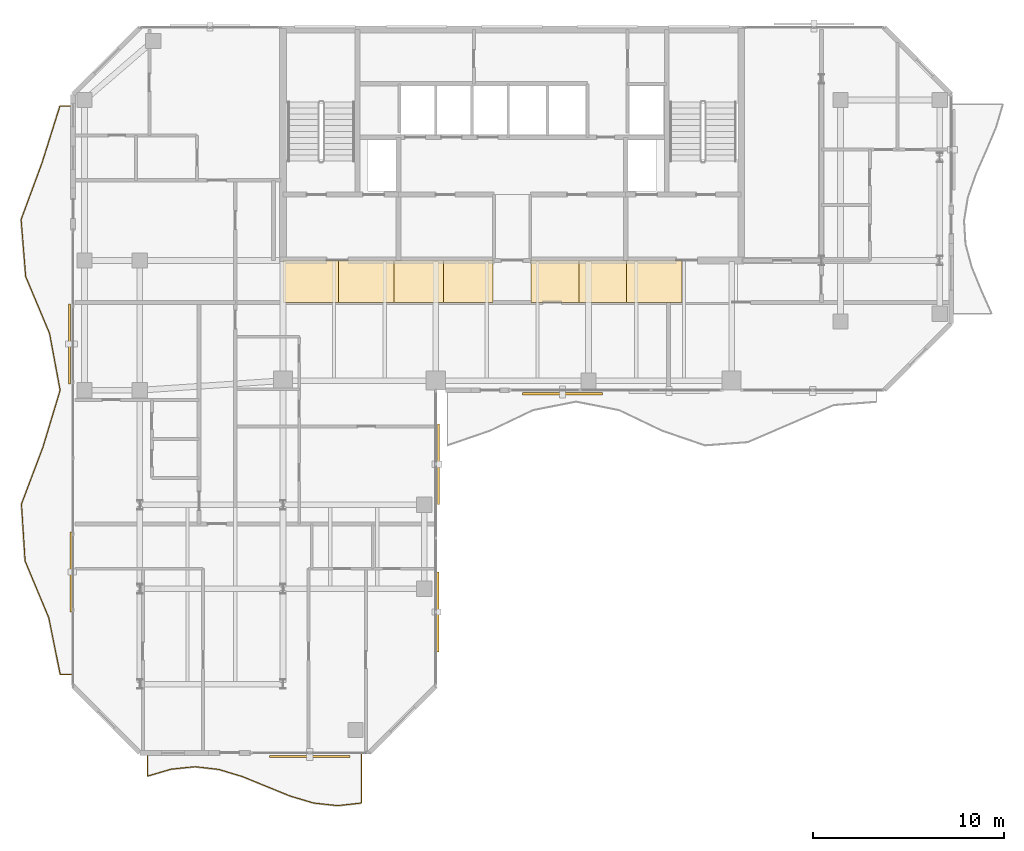
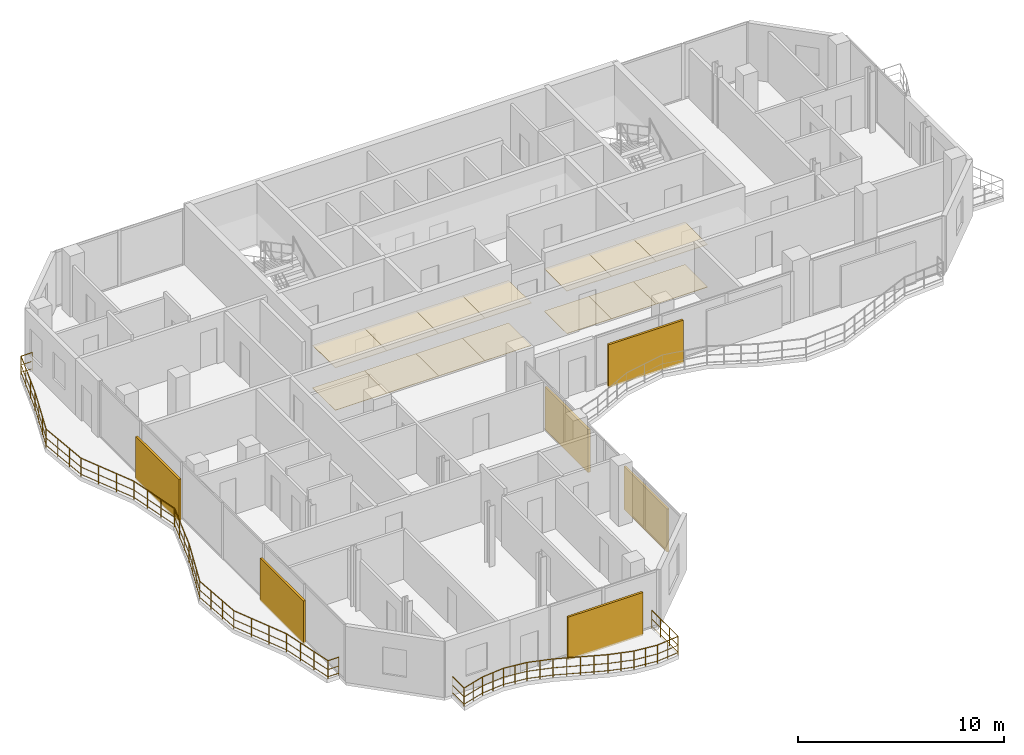
# One storey, part 21 of 23: 14 coverings, 6 shading devices, 2 railings.
"""IFC4 building model written with IfcOpenShell, lengths in metres."""

from ifc_helpers import new_model, si_unit, direction, frame, origin, origin_2d, place, context, subcontext, project, spatial, polyline, rectangle, circle, outline, extrude, material, layer, layer_set, type_object, element, save


model = new_model("IFC4")

# Units and contexts
model_context = context("Model", 3, precision=1e-05, world=origin(), true_north=direction((0.0, 1.0)))
body_context = subcontext(model_context, "Body", "Model", "MODEL_VIEW")
ifc_project = project(units=[si_unit("LENGTHUNIT", "METRE"), si_unit("AREAUNIT", "SQUARE_METRE"), si_unit("VOLUMEUNIT", "CUBIC_METRE"), si_unit("PLANEANGLEUNIT", "RADIAN"), si_unit("MASSUNIT", "GRAM", prefix="KILO")], contexts=[model_context])

# Site, building, storey
site_placement = place(None, origin())
site = spatial("IfcSite", under=ifc_project, at=site_placement, CompositionType="ELEMENT")
building_placement = place(site_placement, origin())
building = spatial("IfcBuilding", under=site, at=building_placement, Name="Catumbela Crestline Tower", CompositionType="ELEMENT")
storey_placement = place(building_placement, frame((0.0, 0.0, 165.0)))
storey = spatial("IfcBuildingStorey", under=building, at=storey_placement, Name="L42", CompositionType="ELEMENT", Elevation=165.0)

# Coverings
ifc_material_1 = material(Name="Mineral-fibre acoustic ceiling")
ifc_layer_1 = layer(ifc_material_1, 0.03, Name="Mineral-fibre acoustic ceiling")
ifc_layer_set_1 = layer_set([ifc_layer_1], Name="Mineral-fibre acoustic ceiling")
covering_type_1 = type_object("IfcCoveringType", Name="CC-AC", PredefinedType="CEILING", material=ifc_layer_set_1)
covering_1_placement = place(storey_placement, frame((0.0, 0.0, 2.52)))
element("IfcCovering", 1, at=covering_1_placement, inside=storey, type_object=covering_type_1, Name="L42 Corridor Acoustic Ceiling Bay 1", PredefinedType="CEILING", context=body_context, shape_type="SweptSolid", body=[
    extrude(outline(polyline([(16.0, 28.6), (18.9, 28.6), (18.9, 30.8), (16.0, 30.8), (16.0, 28.6)])), origin(), (0.0, 0.0, 1.0), 0.03),
])
covering_2_placement = place(storey_placement, frame((0.0, 0.0, 2.52)))
element("IfcCovering", 2, at=covering_2_placement, inside=storey, type_object=covering_type_1, Name="L42 Corridor Acoustic Ceiling Bay 2", PredefinedType="CEILING", context=body_context, shape_type="SweptSolid", body=[
    extrude(outline(polyline([(18.9, 28.6), (21.8, 28.6), (21.8, 30.8), (18.9, 30.8), (18.9, 28.6)])), origin(), (0.0, 0.0, 1.0), 0.03),
])
covering_3_placement = place(storey_placement, frame((0.0, 0.0, 2.52)))
element("IfcCovering", 3, at=covering_3_placement, inside=storey, type_object=covering_type_1, Name="L42 Corridor Acoustic Ceiling Bay 3", PredefinedType="CEILING", context=body_context, shape_type="SweptSolid", body=[
    extrude(outline(polyline([(21.8, 28.6), (24.4, 28.6), (24.4, 30.8), (21.8, 30.8), (21.8, 28.6)])), origin(), (0.0, 0.0, 1.0), 0.03),
])
covering_4_placement = place(storey_placement, frame((0.0, 0.0, 2.52)))
element("IfcCovering", 4, at=covering_4_placement, inside=storey, type_object=covering_type_1, Name="L42 Corridor Acoustic Ceiling Bay 4", PredefinedType="CEILING", context=body_context, shape_type="SweptSolid", body=[
    extrude(outline(polyline([(24.4, 28.6), (27.0, 28.6), (27.0, 30.8), (24.4, 30.8), (24.4, 28.6)])), origin(), (0.0, 0.0, 1.0), 0.03),
])
covering_5_placement = place(storey_placement, frame((0.0, 0.0, 2.52)))
element("IfcCovering", 5, at=covering_5_placement, inside=storey, type_object=covering_type_1, Name="L42 Corridor Acoustic Ceiling Bay 5", PredefinedType="CEILING", context=body_context, shape_type="SweptSolid", body=[
    extrude(outline(polyline([(29.0, 28.6), (31.5, 28.6), (31.5, 30.8), (29.0, 30.8), (29.0, 28.6)])), origin(), (0.0, 0.0, 1.0), 0.03),
])
covering_6_placement = place(storey_placement, frame((0.0, 0.0, 2.52)))
element("IfcCovering", 6, at=covering_6_placement, inside=storey, type_object=covering_type_1, Name="L42 Corridor Acoustic Ceiling Bay 6", PredefinedType="CEILING", context=body_context, shape_type="SweptSolid", body=[
    extrude(outline(polyline([(31.5, 28.6), (34.0, 28.6), (34.0, 30.8), (31.5, 30.8), (31.5, 28.6)])), origin(), (0.0, 0.0, 1.0), 0.03),
])
covering_7_placement = place(storey_placement, frame((0.0, 0.0, 2.52)))
element("IfcCovering", 7, at=covering_7_placement, inside=storey, type_object=covering_type_1, Name="L42 Corridor Acoustic Ceiling Bay 7", PredefinedType="CEILING", context=body_context, shape_type="SweptSolid", body=[
    extrude(outline(polyline([(34.0, 28.6), (36.9, 28.6), (36.9, 30.8), (34.0, 30.8), (34.0, 28.6)])), origin(), (0.0, 0.0, 1.0), 0.03),
])
ifc_material_2 = material(Name="Angolan grey-ochre granite", Category="masonry")
ifc_layer_2 = layer(ifc_material_2, 0.025, Name="Angolan grey-ochre granite")
ifc_layer_set_2 = layer_set([ifc_layer_2], Name="Angolan grey-ochre granite")
covering_type_2 = type_object("IfcCoveringType", Name="CF-GR", PredefinedType="FLOORING", material=ifc_layer_set_2)
covering_8_placement = place(storey_placement, origin())
element("IfcCovering", 8, at=covering_8_placement, inside=storey, type_object=covering_type_2, Name="L42 Corridor Granite Flooring Bay 1", PredefinedType="FLOORING", context=body_context, shape_type="SweptSolid", body=[
    extrude(outline(polyline([(16.0, 28.6), (18.9, 28.6), (18.9, 30.8), (16.0, 30.8), (16.0, 28.6)])), origin(), (0.0, 0.0, 1.0), 0.025),
])
covering_9_placement = place(storey_placement, origin())
element("IfcCovering", 9, at=covering_9_placement, inside=storey, type_object=covering_type_2, Name="L42 Corridor Granite Flooring Bay 2", PredefinedType="FLOORING", context=body_context, shape_type="SweptSolid", body=[
    extrude(outline(polyline([(18.9, 28.6), (21.8, 28.6), (21.8, 30.8), (18.9, 30.8), (18.9, 28.6)])), origin(), (0.0, 0.0, 1.0), 0.025),
])
covering_10_placement = place(storey_placement, origin())
element("IfcCovering", 10, at=covering_10_placement, inside=storey, type_object=covering_type_2, Name="L42 Corridor Granite Flooring Bay 3", PredefinedType="FLOORING", context=body_context, shape_type="SweptSolid", body=[
    extrude(outline(polyline([(21.8, 28.6), (24.4, 28.6), (24.4, 30.8), (21.8, 30.8), (21.8, 28.6)])), origin(), (0.0, 0.0, 1.0), 0.025),
])
covering_11_placement = place(storey_placement, origin())
element("IfcCovering", 11, at=covering_11_placement, inside=storey, type_object=covering_type_2, Name="L42 Corridor Granite Flooring Bay 4", PredefinedType="FLOORING", context=body_context, shape_type="SweptSolid", body=[
    extrude(outline(polyline([(24.4, 28.6), (27.0, 28.6), (27.0, 30.8), (24.4, 30.8), (24.4, 28.6)])), origin(), (0.0, 0.0, 1.0), 0.025),
])
covering_12_placement = place(storey_placement, origin())
element("IfcCovering", 12, at=covering_12_placement, inside=storey, type_object=covering_type_2, Name="L42 Corridor Granite Flooring Bay 5", PredefinedType="FLOORING", context=body_context, shape_type="SweptSolid", body=[
    extrude(outline(polyline([(29.0, 28.6), (31.5, 28.6), (31.5, 30.8), (29.0, 30.8), (29.0, 28.6)])), origin(), (0.0, 0.0, 1.0), 0.025),
])
covering_13_placement = place(storey_placement, origin())
element("IfcCovering", 13, at=covering_13_placement, inside=storey, type_object=covering_type_2, Name="L42 Corridor Granite Flooring Bay 6", PredefinedType="FLOORING", context=body_context, shape_type="SweptSolid", body=[
    extrude(outline(polyline([(31.5, 28.6), (34.0, 28.6), (34.0, 30.8), (31.5, 30.8), (31.5, 28.6)])), origin(), (0.0, 0.0, 1.0), 0.025),
])
covering_14_placement = place(storey_placement, origin())
element("IfcCovering", 14, at=covering_14_placement, inside=storey, type_object=covering_type_2, Name="L42 Corridor Granite Flooring Bay 7", PredefinedType="FLOORING", context=body_context, shape_type="SweptSolid", body=[
    extrude(outline(polyline([(34.0, 28.6), (36.9, 28.6), (36.9, 30.8), (34.0, 30.8), (34.0, 28.6)])), origin(), (0.0, 0.0, 1.0), 0.025),
])

# Railings
ifc_material_3 = material(Name="Stainless steel EN 1.4401", Category="steel")
railing_type = type_object("IfcRailingType", Name="RB-1100", PredefinedType="BALUSTRADE", material=ifc_material_3)
railing_1_placement = place(storey_placement, frame((8.9, 4.94, 0.0)))
element("IfcRailing", 15, at=railing_1_placement, inside=storey, type_object=railing_type, Name="L42 Private Wave Balcony Balustrade 3", PredefinedType="BALUSTRADE", context=body_context, shape_type="SweptSolid", body=[
    extrude(circle(Radius=0.024, at=origin_2d()), frame((0.0, 0.0, 1.076), z_axis=(0.0, -1.0, 0.0), x_axis=(1.0, 0.0, 0.0)), (0.0, 0.0, 1.0), 1.1526),
    extrude(circle(Radius=0.0156, at=origin_2d()), frame((0.0, 0.0, 0.55), z_axis=(0.0, -1.0, 0.0), x_axis=(1.0, 0.0, 0.0)), (0.0, 0.0, 1.0), 1.1526),
    extrude(circle(Radius=0.0156, at=origin_2d()), frame((0.0, 0.0, 0.12), z_axis=(0.0, -1.0, 0.0), x_axis=(1.0, 0.0, 0.0)), (0.0, 0.0, 1.0), 1.1526),
    extrude(circle(Radius=0.024, at=origin_2d()), frame((0.0, -1.1526, 1.076), z_axis=(0.959636438808, 0.281243498259, 0.0), x_axis=(-0.281243498259, 0.959636438808, 0.0)), (0.0, 0.0, 1.0), 1.2967),
    extrude(circle(Radius=0.0156, at=origin_2d()), frame((0.0, -1.1526, 0.55), z_axis=(0.959636438808, 0.281243498259, 0.0), x_axis=(-0.281243498259, 0.959636438808, 0.0)), (0.0, 0.0, 1.0), 1.2967),
    extrude(circle(Radius=0.0156, at=origin_2d()), frame((0.0, -1.1526, 0.12), z_axis=(0.959636438808, 0.281243498259, 0.0), x_axis=(-0.281243498259, 0.959636438808, 0.0)), (0.0, 0.0, 1.0), 1.2967),
    extrude(circle(Radius=0.024, at=origin_2d()), frame((1.2444, -0.7879, 1.076), z_axis=(0.99476853318, 0.102154615139, 0.0), x_axis=(-0.102154615139, 0.99476853318, 0.0)), (0.0, 0.0, 1.0), 1.251),
    extrude(circle(Radius=0.0156, at=origin_2d()), frame((1.2444, -0.7879, 0.55), z_axis=(0.99476853318, 0.102154615139, 0.0), x_axis=(-0.102154615139, 0.99476853318, 0.0)), (0.0, 0.0, 1.0), 1.251),
    extrude(circle(Radius=0.0156, at=origin_2d()), frame((1.2444, -0.7879, 0.12), z_axis=(0.99476853318, 0.102154615139, 0.0), x_axis=(-0.102154615139, 0.99476853318, 0.0)), (0.0, 0.0, 1.0), 1.251),
    extrude(circle(Radius=0.024, at=origin_2d()), frame((2.4889, -0.6601, 1.076), z_axis=(0.993452916822, -0.114242295401, 0.0), x_axis=(0.114242295401, 0.993452916822, 0.0)), (0.0, 0.0, 1.0), 1.2526),
    extrude(circle(Radius=0.0156, at=origin_2d()), frame((2.4889, -0.6601, 0.55), z_axis=(0.993452916822, -0.114242295401, 0.0), x_axis=(0.114242295401, 0.993452916822, 0.0)), (0.0, 0.0, 1.0), 1.2526),
    extrude(circle(Radius=0.0156, at=origin_2d()), frame((2.4889, -0.6601, 0.12), z_axis=(0.993452916822, -0.114242295401, 0.0), x_axis=(0.114242295401, 0.993452916822, 0.0)), (0.0, 0.0, 1.0), 1.2526),
    extrude(circle(Radius=0.024, at=origin_2d()), frame((3.7333, -0.8032, 1.076), z_axis=(0.95724214329, -0.289287882757, 0.0), x_axis=(0.289287882757, 0.95724214329, 0.0)), (0.0, 0.0, 1.0), 1.3001),
    extrude(circle(Radius=0.0156, at=origin_2d()), frame((3.7333, -0.8032, 0.55), z_axis=(0.95724214329, -0.289287882757, 0.0), x_axis=(0.289287882757, 0.95724214329, 0.0)), (0.0, 0.0, 1.0), 1.3001),
    extrude(circle(Radius=0.0156, at=origin_2d()), frame((3.7333, -0.8032, 0.12), z_axis=(0.95724214329, -0.289287882757, 0.0), x_axis=(0.289287882757, 0.95724214329, 0.0)), (0.0, 0.0, 1.0), 1.3001),
    extrude(circle(Radius=0.024, at=origin_2d()), frame((4.9778, -1.1793, 1.076), z_axis=(0.925565911687, -0.378586506789, 0.0), x_axis=(0.378586506789, 0.925565911687, 0.0)), (0.0, 0.0, 1.0), 1.3445),
    extrude(circle(Radius=0.0156, at=origin_2d()), frame((4.9778, -1.1793, 0.55), z_axis=(0.925565911687, -0.378586506789, 0.0), x_axis=(0.378586506789, 0.925565911687, 0.0)), (0.0, 0.0, 1.0), 1.3445),
    extrude(circle(Radius=0.0156, at=origin_2d()), frame((4.9778, -1.1793, 0.12), z_axis=(0.925565911687, -0.378586506789, 0.0), x_axis=(0.378586506789, 0.925565911687, 0.0)), (0.0, 0.0, 1.0), 1.3445),
    extrude(circle(Radius=0.024, at=origin_2d()), frame((6.2222, -1.6883, 1.076), z_axis=(0.926149170652, -0.377157412364, 0.0), x_axis=(0.377157412364, 0.926149170652, 0.0)), (0.0, 0.0, 1.0), 1.3437),
    extrude(circle(Radius=0.0156, at=origin_2d()), frame((6.2222, -1.6883, 0.55), z_axis=(0.926149170652, -0.377157412364, 0.0), x_axis=(0.377157412364, 0.926149170652, 0.0)), (0.0, 0.0, 1.0), 1.3437),
    extrude(circle(Radius=0.0156, at=origin_2d()), frame((6.2222, -1.6883, 0.12), z_axis=(0.926149170652, -0.377157412364, 0.0), x_axis=(0.377157412364, 0.926149170652, 0.0)), (0.0, 0.0, 1.0), 1.3437),
    extrude(circle(Radius=0.024, at=origin_2d()), frame((7.4667, -2.1951, 1.076), z_axis=(0.958527257268, -0.285000872058, 0.0), x_axis=(0.285000872058, 0.958527257268, 0.0)), (0.0, 0.0, 1.0), 1.2982),
    extrude(circle(Radius=0.0156, at=origin_2d()), frame((7.4667, -2.1951, 0.55), z_axis=(0.958527257268, -0.285000872058, 0.0), x_axis=(0.285000872058, 0.958527257268, 0.0)), (0.0, 0.0, 1.0), 1.2982),
    extrude(circle(Radius=0.0156, at=origin_2d()), frame((7.4667, -2.1951, 0.12), z_axis=(0.958527257268, -0.285000872058, 0.0), x_axis=(0.285000872058, 0.958527257268, 0.0)), (0.0, 0.0, 1.0), 1.2982),
    extrude(circle(Radius=0.024, at=origin_2d()), frame((8.7111, -2.5651, 1.076), z_axis=(0.994176321749, -0.107765677625, 0.0), x_axis=(0.107765677625, 0.994176321749, 0.0)), (0.0, 0.0, 1.0), 1.2518),
    extrude(circle(Radius=0.0156, at=origin_2d()), frame((8.7111, -2.5651, 0.55), z_axis=(0.994176321749, -0.107765677625, 0.0), x_axis=(0.107765677625, 0.994176321749, 0.0)), (0.0, 0.0, 1.0), 1.2518),
    extrude(circle(Radius=0.0156, at=origin_2d()), frame((8.7111, -2.5651, 0.12), z_axis=(0.994176321749, -0.107765677625, 0.0), x_axis=(0.107765677625, 0.994176321749, 0.0)), (0.0, 0.0, 1.0), 1.2518),
    extrude(circle(Radius=0.024, at=origin_2d()), frame((9.9556, -2.7, 1.076), z_axis=(0.994072231366, 0.108721657577, 0.0), x_axis=(-0.108721657577, 0.994072231366, 0.0)), (0.0, 0.0, 1.0), 1.2518),
    extrude(circle(Radius=0.0156, at=origin_2d()), frame((9.9556, -2.7, 0.55), z_axis=(0.994072231366, 0.108721657577, 0.0), x_axis=(-0.108721657577, 0.994072231366, 0.0)), (0.0, 0.0, 1.0), 1.2518),
    extrude(circle(Radius=0.0156, at=origin_2d()), frame((9.9556, -2.7, 0.12), z_axis=(0.994072231366, 0.108721657577, 0.0), x_axis=(-0.108721657577, 0.994072231366, 0.0)), (0.0, 0.0, 1.0), 1.2518),
    extrude(circle(Radius=0.024, at=origin_2d()), frame((11.2, -2.5639, 1.076), z_axis=(0.0, 1.0, 0.0), x_axis=(-1.0, 0.0, 0.0)), (0.0, 0.0, 1.0), 2.5639),
    extrude(circle(Radius=0.0156, at=origin_2d()), frame((11.2, -2.5639, 0.55), z_axis=(0.0, 1.0, 0.0), x_axis=(-1.0, 0.0, 0.0)), (0.0, 0.0, 1.0), 2.5639),
    extrude(circle(Radius=0.0156, at=origin_2d()), frame((11.2, -2.5639, 0.12), z_axis=(0.0, 1.0, 0.0), x_axis=(-1.0, 0.0, 0.0)), (0.0, 0.0, 1.0), 2.5639),
    extrude(circle(Radius=0.021, at=origin_2d()), origin(), (0.0, 0.0, 1.0), 1.052),
    extrude(circle(Radius=0.021, at=origin_2d()), frame((0.0, -1.1526, 0.0)), (0.0, 0.0, 1.0), 1.052),
    extrude(circle(Radius=0.021, at=origin_2d()), frame((0.6222, -0.9703, 0.0)), (0.0, 0.0, 1.0), 1.052),
    extrude(circle(Radius=0.021, at=origin_2d()), frame((1.2444, -0.7879, 0.0)), (0.0, 0.0, 1.0), 1.052),
    extrude(circle(Radius=0.021, at=origin_2d()), frame((1.8666, -0.724, 0.0)), (0.0, 0.0, 1.0), 1.052),
    extrude(circle(Radius=0.021, at=origin_2d()), frame((2.4889, -0.6601, 0.0)), (0.0, 0.0, 1.0), 1.052),
    extrude(circle(Radius=0.021, at=origin_2d()), frame((3.1111, -0.7317, 0.0)), (0.0, 0.0, 1.0), 1.052),
    extrude(circle(Radius=0.021, at=origin_2d()), frame((3.7333, -0.8032, 0.0)), (0.0, 0.0, 1.0), 1.052),
    extrude(circle(Radius=0.021, at=origin_2d()), frame((4.3556, -0.9913, 0.0)), (0.0, 0.0, 1.0), 1.052),
    extrude(circle(Radius=0.021, at=origin_2d()), frame((4.9778, -1.1793, 0.0)), (0.0, 0.0, 1.0), 1.052),
    extrude(circle(Radius=0.021, at=origin_2d()), frame((5.6, -1.4338, 0.0)), (0.0, 0.0, 1.0), 1.052),
    extrude(circle(Radius=0.021, at=origin_2d()), frame((6.2222, -1.6883, 0.0)), (0.0, 0.0, 1.0), 1.052),
    extrude(circle(Radius=0.021, at=origin_2d()), frame((6.8444, -1.9417, 0.0)), (0.0, 0.0, 1.0), 1.052),
    extrude(circle(Radius=0.021, at=origin_2d()), frame((7.4667, -2.1951, 0.0)), (0.0, 0.0, 1.0), 1.052),
    extrude(circle(Radius=0.021, at=origin_2d()), frame((8.0889, -2.3801, 0.0)), (0.0, 0.0, 1.0), 1.052),
    extrude(circle(Radius=0.021, at=origin_2d()), frame((8.7111, -2.5651, 0.0)), (0.0, 0.0, 1.0), 1.052),
    extrude(circle(Radius=0.021, at=origin_2d()), frame((9.3334, -2.6326, 0.0)), (0.0, 0.0, 1.0), 1.052),
    extrude(circle(Radius=0.021, at=origin_2d()), frame((9.9556, -2.7, 0.0)), (0.0, 0.0, 1.0), 1.052),
    extrude(circle(Radius=0.021, at=origin_2d()), frame((10.5778, -2.632, 0.0)), (0.0, 0.0, 1.0), 1.052),
    extrude(circle(Radius=0.021, at=origin_2d()), frame((11.2, -2.5639, 0.0)), (0.0, 0.0, 1.0), 1.052),
    extrude(circle(Radius=0.021, at=origin_2d()), frame((11.2, -1.7093, 0.0)), (0.0, 0.0, 1.0), 1.052),
    extrude(circle(Radius=0.021, at=origin_2d()), frame((11.2, -0.8546, 0.0)), (0.0, 0.0, 1.0), 1.052),
    extrude(circle(Radius=0.021, at=origin_2d()), frame((11.2, 0.0, 0.0)), (0.0, 0.0, 1.0), 1.052),
])
railing_2_placement = place(storey_placement, frame((4.94, 38.9, 0.0)))
element("IfcRailing", 16, at=railing_2_placement, inside=storey, type_object=railing_type, Name="L42 Private Wave Balcony Balustrade 4", PredefinedType="BALUSTRADE", context=body_context, shape_type="SweptSolid", body=[
    extrude(circle(Radius=0.024, at=origin_2d()), frame((0.0, 0.0, 1.076), z_axis=(-1.0, 0.0, 0.0), x_axis=(0.0, -1.0, 0.0)), (0.0, 0.0, 1.0), 0.624),
    extrude(circle(Radius=0.0156, at=origin_2d()), frame((0.0, 0.0, 0.55), z_axis=(-1.0, 0.0, 0.0), x_axis=(0.0, -1.0, 0.0)), (0.0, 0.0, 1.0), 0.624),
    extrude(circle(Radius=0.0156, at=origin_2d()), frame((0.0, 0.0, 0.12), z_axis=(-1.0, 0.0, 0.0), x_axis=(0.0, -1.0, 0.0)), (0.0, 0.0, 1.0), 0.624),
    extrude(circle(Radius=0.024, at=origin_2d()), frame((-0.624, 0.0, 1.076), z_axis=(-0.299660095315, -0.954046029956, 0.0), x_axis=(0.954046029956, -0.299660095315, 0.0)), (0.0, 0.0, 1.0), 3.1235),
    extrude(circle(Radius=0.0156, at=origin_2d()), frame((-0.624, 0.0, 0.55), z_axis=(-0.299660095315, -0.954046029956, 0.0), x_axis=(0.954046029956, -0.299660095315, 0.0)), (0.0, 0.0, 1.0), 3.1235),
    extrude(circle(Radius=0.0156, at=origin_2d()), frame((-0.624, 0.0, 0.12), z_axis=(-0.299660095315, -0.954046029956, 0.0), x_axis=(0.954046029956, -0.299660095315, 0.0)), (0.0, 0.0, 1.0), 3.1235),
    extrude(circle(Radius=0.024, at=origin_2d()), frame((-1.56, -2.98, 1.076), z_axis=(-0.346261132373, -0.938138171171, 0.0), x_axis=(0.938138171171, -0.346261132373, 0.0)), (0.0, 0.0, 1.0), 3.1765),
    extrude(circle(Radius=0.0156, at=origin_2d()), frame((-1.56, -2.98, 0.55), z_axis=(-0.346261132373, -0.938138171171, 0.0), x_axis=(0.938138171171, -0.346261132373, 0.0)), (0.0, 0.0, 1.0), 3.1765),
    extrude(circle(Radius=0.0156, at=origin_2d()), frame((-1.56, -2.98, 0.12), z_axis=(-0.346261132373, -0.938138171171, 0.0), x_axis=(0.938138171171, -0.346261132373, 0.0)), (0.0, 0.0, 1.0), 3.1765),
    extrude(circle(Radius=0.024, at=origin_2d()), frame((-2.6599, -5.96, 1.076), z_axis=(0.079844933458, -0.996807296623, 0.0), x_axis=(0.996807296623, 0.079844933458, 0.0)), (0.0, 0.0, 1.0), 2.9895),
    extrude(circle(Radius=0.0156, at=origin_2d()), frame((-2.6599, -5.96, 0.55), z_axis=(0.079844933458, -0.996807296623, 0.0), x_axis=(0.996807296623, 0.079844933458, 0.0)), (0.0, 0.0, 1.0), 2.9895),
    extrude(circle(Radius=0.0156, at=origin_2d()), frame((-2.6599, -5.96, 0.12), z_axis=(0.079844933458, -0.996807296623, 0.0), x_axis=(0.996807296623, 0.079844933458, 0.0)), (0.0, 0.0, 1.0), 2.9895),
    extrude(circle(Radius=0.024, at=origin_2d()), frame((-2.4212, -8.94, 1.076), z_axis=(0.387127277892, -0.922026285261, 0.0), x_axis=(0.922026285261, 0.387127277892, 0.0)), (0.0, 0.0, 1.0), 3.232),
    extrude(circle(Radius=0.0156, at=origin_2d()), frame((-2.4212, -8.94, 0.55), z_axis=(0.387127277892, -0.922026285261, 0.0), x_axis=(0.922026285261, 0.387127277892, 0.0)), (0.0, 0.0, 1.0), 3.232),
    extrude(circle(Radius=0.0156, at=origin_2d()), frame((-2.4212, -8.94, 0.12), z_axis=(0.387127277892, -0.922026285261, 0.0), x_axis=(0.922026285261, 0.387127277892, 0.0)), (0.0, 0.0, 1.0), 3.232),
    extrude(circle(Radius=0.024, at=origin_2d()), frame((-1.17, -11.92, 1.076), z_axis=(0.182965757166, -0.98311928661, 0.0), x_axis=(0.98311928661, 0.182965757166, 0.0)), (0.0, 0.0, 1.0), 3.0312),
    extrude(circle(Radius=0.0156, at=origin_2d()), frame((-1.17, -11.92, 0.55), z_axis=(0.182965757166, -0.98311928661, 0.0), x_axis=(0.98311928661, 0.182965757166, 0.0)), (0.0, 0.0, 1.0), 3.0312),
    extrude(circle(Radius=0.0156, at=origin_2d()), frame((-1.17, -11.92, 0.12), z_axis=(0.182965757166, -0.98311928661, 0.0), x_axis=(0.98311928661, 0.182965757166, 0.0)), (0.0, 0.0, 1.0), 3.0312),
    extrude(circle(Radius=0.024, at=origin_2d()), frame((-0.6154, -14.9, 1.076), z_axis=(-0.28905680833, -0.957311945793, 0.0), x_axis=(0.957311945793, -0.28905680833, 0.0)), (0.0, 0.0, 1.0), 3.1129),
    extrude(circle(Radius=0.0156, at=origin_2d()), frame((-0.6154, -14.9, 0.55), z_axis=(-0.28905680833, -0.957311945793, 0.0), x_axis=(0.957311945793, -0.28905680833, 0.0)), (0.0, 0.0, 1.0), 3.1129),
    extrude(circle(Radius=0.0156, at=origin_2d()), frame((-0.6154, -14.9, 0.12), z_axis=(-0.28905680833, -0.957311945793, 0.0), x_axis=(0.957311945793, -0.28905680833, 0.0)), (0.0, 0.0, 1.0), 3.1129),
    extrude(circle(Radius=0.024, at=origin_2d()), frame((-1.5152, -17.88, 1.076), z_axis=(-0.35315939818, -0.935563167016, 0.0), x_axis=(0.935563167016, -0.35315939818, 0.0)), (0.0, 0.0, 1.0), 3.1852),
    extrude(circle(Radius=0.0156, at=origin_2d()), frame((-1.5152, -17.88, 0.55), z_axis=(-0.35315939818, -0.935563167016, 0.0), x_axis=(0.935563167016, -0.35315939818, 0.0)), (0.0, 0.0, 1.0), 3.1852),
    extrude(circle(Radius=0.0156, at=origin_2d()), frame((-1.5152, -17.88, 0.12), z_axis=(-0.35315939818, -0.935563167016, 0.0), x_axis=(0.935563167016, -0.35315939818, 0.0)), (0.0, 0.0, 1.0), 3.1852),
    extrude(circle(Radius=0.024, at=origin_2d()), frame((-2.6401, -20.86, 1.076), z_axis=(0.062495049702, -0.998045273904, 0.0), x_axis=(0.998045273904, 0.062495049702, 0.0)), (0.0, 0.0, 1.0), 2.9858),
    extrude(circle(Radius=0.0156, at=origin_2d()), frame((-2.6401, -20.86, 0.55), z_axis=(0.062495049702, -0.998045273904, 0.0), x_axis=(0.998045273904, 0.062495049702, 0.0)), (0.0, 0.0, 1.0), 2.9858),
    extrude(circle(Radius=0.0156, at=origin_2d()), frame((-2.6401, -20.86, 0.12), z_axis=(0.062495049702, -0.998045273904, 0.0), x_axis=(0.998045273904, 0.062495049702, 0.0)), (0.0, 0.0, 1.0), 2.9858),
    extrude(circle(Radius=0.024, at=origin_2d()), frame((-2.4535, -23.84, 1.076), z_axis=(0.385019974445, -0.922908239902, 0.0), x_axis=(0.922908239902, 0.385019974445, 0.0)), (0.0, 0.0, 1.0), 3.2289),
    extrude(circle(Radius=0.0156, at=origin_2d()), frame((-2.4535, -23.84, 0.55), z_axis=(0.385019974445, -0.922908239902, 0.0), x_axis=(0.922908239902, 0.385019974445, 0.0)), (0.0, 0.0, 1.0), 3.2289),
    extrude(circle(Radius=0.0156, at=origin_2d()), frame((-2.4535, -23.84, 0.12), z_axis=(0.385019974445, -0.922908239902, 0.0), x_axis=(0.922908239902, 0.385019974445, 0.0)), (0.0, 0.0, 1.0), 3.2289),
    extrude(circle(Radius=0.024, at=origin_2d()), frame((-1.2103, -26.82, 1.076), z_axis=(0.197855395361, -0.98023121891, 0.0), x_axis=(0.98023121891, 0.197855395361, 0.0)), (0.0, 0.0, 1.0), 3.0401),
    extrude(circle(Radius=0.0156, at=origin_2d()), frame((-1.2103, -26.82, 0.55), z_axis=(0.197855395361, -0.98023121891, 0.0), x_axis=(0.98023121891, 0.197855395361, 0.0)), (0.0, 0.0, 1.0), 3.0401),
    extrude(circle(Radius=0.0156, at=origin_2d()), frame((-1.2103, -26.82, 0.12), z_axis=(0.197855395361, -0.98023121891, 0.0), x_axis=(0.98023121891, 0.197855395361, 0.0)), (0.0, 0.0, 1.0), 3.0401),
    extrude(circle(Radius=0.024, at=origin_2d()), frame((-0.6088, -29.8, 1.076), z_axis=(1.0, 0.0, 0.0), x_axis=(0.0, 1.0, 0.0)), (0.0, 0.0, 1.0), 0.6088),
    extrude(circle(Radius=0.0156, at=origin_2d()), frame((-0.6088, -29.8, 0.55), z_axis=(1.0, 0.0, 0.0), x_axis=(0.0, 1.0, 0.0)), (0.0, 0.0, 1.0), 0.6088),
    extrude(circle(Radius=0.0156, at=origin_2d()), frame((-0.6088, -29.8, 0.12), z_axis=(1.0, 0.0, 0.0), x_axis=(0.0, 1.0, 0.0)), (0.0, 0.0, 1.0), 0.6088),
    extrude(circle(Radius=0.021, at=origin_2d()), origin(), (0.0, 0.0, 1.0), 1.052),
    extrude(circle(Radius=0.021, at=origin_2d()), frame((-0.624, 0.0, 0.0)), (0.0, 0.0, 1.0), 1.052),
    extrude(circle(Radius=0.021, at=origin_2d()), frame((-0.936, -0.9933, 0.0)), (0.0, 0.0, 1.0), 1.052),
    extrude(circle(Radius=0.021, at=origin_2d()), frame((-1.248, -1.9867, 0.0)), (0.0, 0.0, 1.0), 1.052),
    extrude(circle(Radius=0.021, at=origin_2d()), frame((-1.56, -2.98, 0.0)), (0.0, 0.0, 1.0), 1.052),
    extrude(circle(Radius=0.021, at=origin_2d()), frame((-1.9266, -3.9733, 0.0)), (0.0, 0.0, 1.0), 1.052),
    extrude(circle(Radius=0.021, at=origin_2d()), frame((-2.2933, -4.9667, 0.0)), (0.0, 0.0, 1.0), 1.052),
    extrude(circle(Radius=0.021, at=origin_2d()), frame((-2.6599, -5.96, 0.0)), (0.0, 0.0, 1.0), 1.052),
    extrude(circle(Radius=0.021, at=origin_2d()), frame((-2.5803, -6.9533, 0.0)), (0.0, 0.0, 1.0), 1.052),
    extrude(circle(Radius=0.021, at=origin_2d()), frame((-2.5008, -7.9467, 0.0)), (0.0, 0.0, 1.0), 1.052),
    extrude(circle(Radius=0.021, at=origin_2d()), frame((-2.4212, -8.94, 0.0)), (0.0, 0.0, 1.0), 1.052),
    extrude(circle(Radius=0.021, at=origin_2d()), frame((-2.0041, -9.9333, 0.0)), (0.0, 0.0, 1.0), 1.052),
    extrude(circle(Radius=0.021, at=origin_2d()), frame((-1.5871, -10.9267, 0.0)), (0.0, 0.0, 1.0), 1.052),
    extrude(circle(Radius=0.021, at=origin_2d()), frame((-1.17, -11.92, 0.0)), (0.0, 0.0, 1.0), 1.052),
    extrude(circle(Radius=0.021, at=origin_2d()), frame((-0.9851, -12.9133, 0.0)), (0.0, 0.0, 1.0), 1.052),
    extrude(circle(Radius=0.021, at=origin_2d()), frame((-0.8003, -13.9067, 0.0)), (0.0, 0.0, 1.0), 1.052),
    extrude(circle(Radius=0.021, at=origin_2d()), frame((-0.6154, -14.9, 0.0)), (0.0, 0.0, 1.0), 1.052),
    extrude(circle(Radius=0.021, at=origin_2d()), frame((-0.9153, -15.8933, 0.0)), (0.0, 0.0, 1.0), 1.052),
    extrude(circle(Radius=0.021, at=origin_2d()), frame((-1.2153, -16.8867, 0.0)), (0.0, 0.0, 1.0), 1.052),
    extrude(circle(Radius=0.021, at=origin_2d()), frame((-1.5152, -17.88, 0.0)), (0.0, 0.0, 1.0), 1.052),
    extrude(circle(Radius=0.021, at=origin_2d()), frame((-1.8902, -18.8733, 0.0)), (0.0, 0.0, 1.0), 1.052),
    extrude(circle(Radius=0.021, at=origin_2d()), frame((-2.2651, -19.8667, 0.0)), (0.0, 0.0, 1.0), 1.052),
    extrude(circle(Radius=0.021, at=origin_2d()), frame((-2.6401, -20.86, 0.0)), (0.0, 0.0, 1.0), 1.052),
    extrude(circle(Radius=0.021, at=origin_2d()), frame((-2.5779, -21.8533, 0.0)), (0.0, 0.0, 1.0), 1.052),
    extrude(circle(Radius=0.021, at=origin_2d()), frame((-2.5157, -22.8467, 0.0)), (0.0, 0.0, 1.0), 1.052),
    extrude(circle(Radius=0.021, at=origin_2d()), frame((-2.4535, -23.84, 0.0)), (0.0, 0.0, 1.0), 1.052),
    extrude(circle(Radius=0.021, at=origin_2d()), frame((-2.0391, -24.8333, 0.0)), (0.0, 0.0, 1.0), 1.052),
    extrude(circle(Radius=0.021, at=origin_2d()), frame((-1.6247, -25.8267, 0.0)), (0.0, 0.0, 1.0), 1.052),
    extrude(circle(Radius=0.021, at=origin_2d()), frame((-1.2103, -26.82, 0.0)), (0.0, 0.0, 1.0), 1.052),
    extrude(circle(Radius=0.021, at=origin_2d()), frame((-1.0098, -27.8133, 0.0)), (0.0, 0.0, 1.0), 1.052),
    extrude(circle(Radius=0.021, at=origin_2d()), frame((-0.8093, -28.8067, 0.0)), (0.0, 0.0, 1.0), 1.052),
    extrude(circle(Radius=0.021, at=origin_2d()), frame((-0.6088, -29.8, 0.0)), (0.0, 0.0, 1.0), 1.052),
    extrude(circle(Radius=0.021, at=origin_2d()), frame((0.0, -29.8, 0.0)), (0.0, 0.0, 1.0), 1.052),
])

# Shading devices
ifc_material_4 = material(Name="Extruded terracotta ceramic", Category="masonry")
shading_device_type_1 = type_object("IfcShadingDeviceType", Name="ST-180", PredefinedType="USERDEFINED", material=ifc_material_4)
for number, where, z_axis, x_axis, name in (
    (17, (24.099, 12.375, -0.1), (0.0, 0.0, 1.0), (0.0, 1.0, 0.0), "L42 Perforated Terracotta Solar Screen 465 (180 mm)"),
    (18, (4.901, 14.475, -0.1), (0.0, 0.0, 1.0), (0.0, -1.0, 0.0), "L42 Perforated Terracotta Solar Screen 474 (180 mm)"),
):
    element("IfcShadingDevice", number, at=place(storey_placement, frame(where, z_axis=z_axis, x_axis=x_axis)), inside=storey, type_object=shading_device_type_1, Name=name, ObjectType="SCREEN", PredefinedType="USERDEFINED", context=body_context, shape_type="SweptSolid", body=[
        extrude(rectangle(XDim=4.2, YDim=0.12, at=origin_2d()), origin(), (0.0, 0.0, 1.0), 2.55),
    ])
shading_device_type_2 = type_object("IfcShadingDeviceType", Name="ST-260", PredefinedType="USERDEFINED", material=ifc_material_4)
shading_device_placement = place(storey_placement, frame((24.143, 20.125, -0.1), z_axis=(0.0, 0.0, 1.0), x_axis=(0.0, 1.0, 0.0)))
element("IfcShadingDevice", 19, at=shading_device_placement, inside=storey, type_object=shading_device_type_2, Name="L42 Perforated Terracotta Solar Screen 466 (260 mm)", ObjectType="SCREEN", PredefinedType="USERDEFINED", context=body_context, shape_type="SweptSolid", body=[
    extrude(rectangle(XDim=4.2, YDim=0.12, at=origin_2d()), origin(), (0.0, 0.0, 1.0), 2.55),
])
shading_device_type_3 = type_object("IfcShadingDeviceType", Name="ST-340", PredefinedType="USERDEFINED", material=ifc_material_4)
for number, where, z_axis, x_axis, name in (
    (20, (17.4, 4.813, -0.1), (0.0, 0.0, 1.0), (1.0, 0.0, 0.0), "L42 Perforated Terracotta Solar Screen 464 (340 mm)"),
    (21, (30.6375, 23.813, -0.1), (0.0, 0.0, 1.0), (1.0, 0.0, 0.0), "L42 Perforated Terracotta Solar Screen 467 (340 mm)"),
    (22, (4.813, 26.425, -0.1), (0.0, 0.0, 1.0), (0.0, -1.0, 0.0), "L42 Perforated Terracotta Solar Screen 473 (340 mm)"),
):
    element("IfcShadingDevice", number, at=place(storey_placement, frame(where, z_axis=z_axis, x_axis=x_axis)), inside=storey, type_object=shading_device_type_3, Name=name, ObjectType="SCREEN", PredefinedType="USERDEFINED", context=body_context, shape_type="SweptSolid", body=[
        extrude(rectangle(XDim=4.2, YDim=0.12, at=origin_2d()), origin(), (0.0, 0.0, 1.0), 2.55),
    ])

save(model, "model.ifc")
